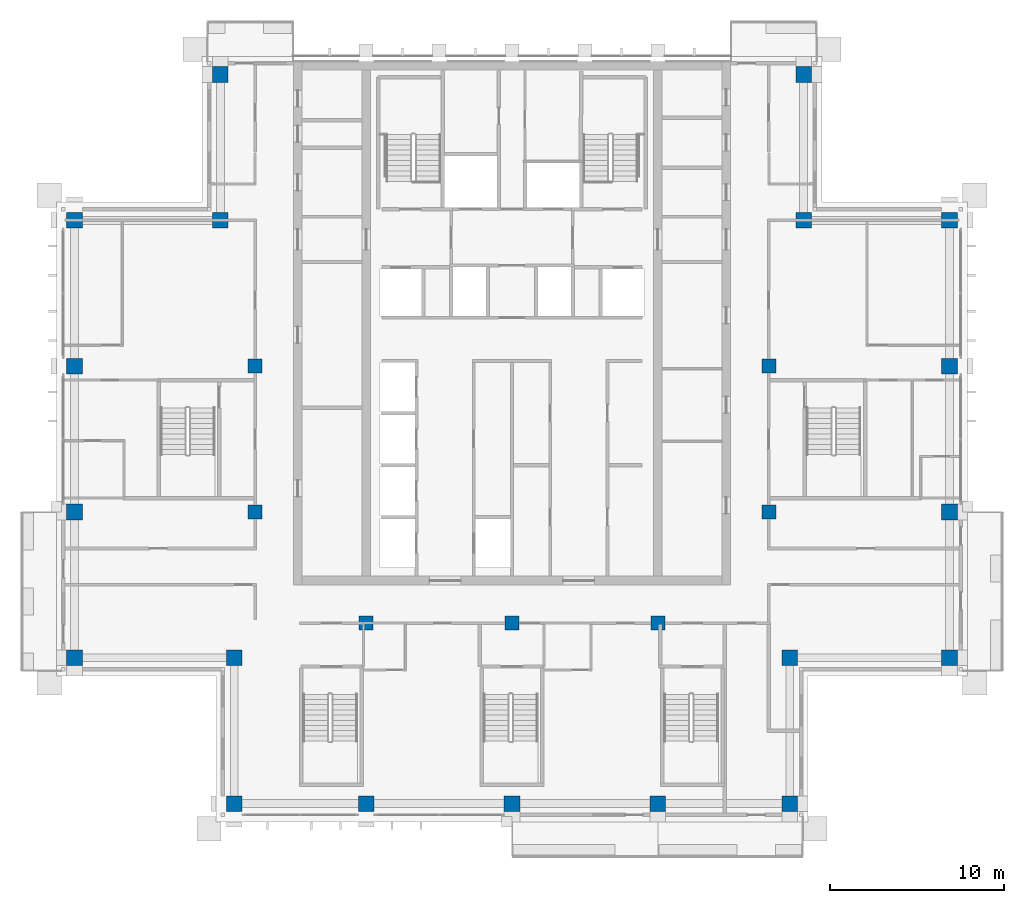
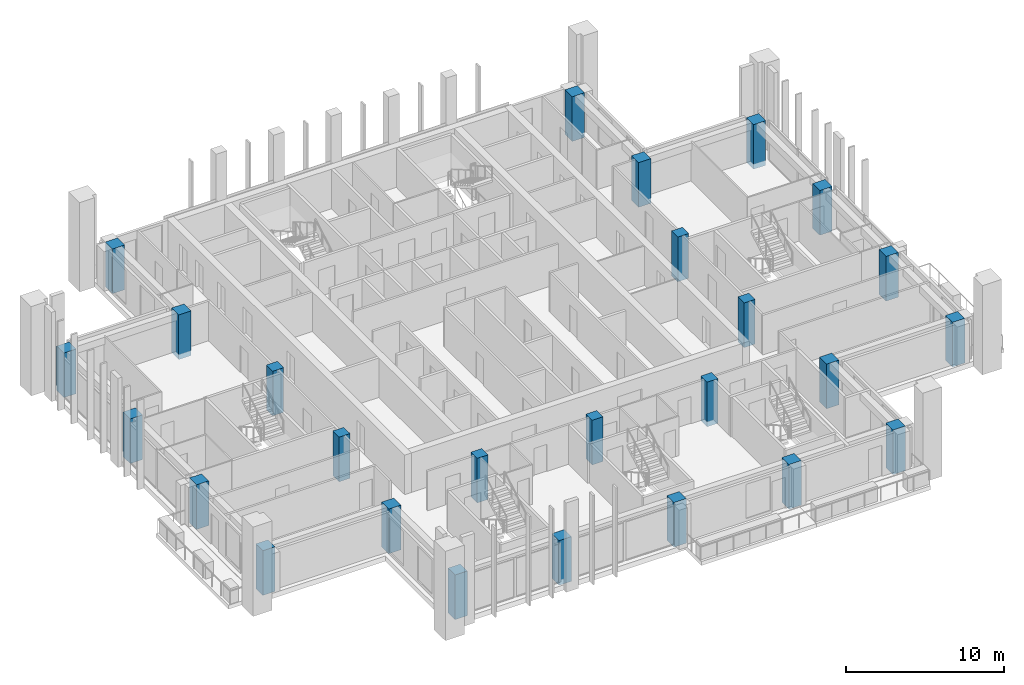
# One storey, part 1 of 18: 26 columns.
"""IFC4 building model written with IfcOpenShell, lengths in metres."""

from ifc_helpers import new_model, si_unit, direction, frame, origin, origin_2d, place, context, subcontext, project, spatial, rectangle, extrude, material, material_profile, profile_set, type_object, element, save


model = new_model("IFC4")

# Units and contexts
model_context = context("Model", 3, precision=1e-05, world=origin(), true_north=direction((0.0, 1.0)))
body_context = subcontext(model_context, "Body", "Model", "MODEL_VIEW")
ifc_project = project(units=[si_unit("LENGTHUNIT", "METRE"), si_unit("AREAUNIT", "SQUARE_METRE"), si_unit("VOLUMEUNIT", "CUBIC_METRE"), si_unit("PLANEANGLEUNIT", "RADIAN"), si_unit("MASSUNIT", "GRAM", prefix="KILO")], contexts=[model_context])

# Site, building, storey
site_placement = place(None, origin())
site = spatial("IfcSite", under=ifc_project, at=site_placement, CompositionType="ELEMENT")
building_placement = place(site_placement, origin())
building = spatial("IfcBuilding", under=site, at=building_placement, Name="Vermilion Ogive Tower", CompositionType="ELEMENT")
storey_placement = place(building_placement, frame((0.0, 0.0, 254.5)))
storey = spatial("IfcBuildingStorey", under=building, at=storey_placement, Name="L67", CompositionType="ELEMENT", Elevation=254.5)

# Columns
ifc_material_1 = material(Name="Concrete B60", Category="concrete")
ifc_material_profile_1 = material_profile(ifc_material_1, rectangle(XDim=0.89990234375, YDim=0.89990234375, at=origin_2d()), Name="900 x 900")
ifc_profile_set_1 = profile_set([ifc_material_profile_1], Name="Concrete B60")
column_type_1 = type_object("IfcColumnType", Name="Perimeter column 900 x 900 B60", PredefinedType="COLUMN", material=ifc_profile_set_1)
for number, where, z_axis, x_axis, name in (
    (1, (-16.0, -21.0, -0.39990234375), (0.0, 0.0, 1.0), (1.0, 0.0, 0.0), "COL-L67-P-0160-210"),
    (2, (-8.39990234375, -21.0, -0.39990234375), (0.0, 0.0, 1.0), (1.0, 0.0, 0.0), "COL-L67-P-0084-210"),
    (3, (0.0, -21.0, -0.39990234375), (0.0, 0.0, 1.0), (1.0, 0.0, 0.0), "COL-L67-P+0000-210"),
    (4, (8.39990234375, -21.0, -0.39990234375), (0.0, 0.0, 1.0), (1.0, 0.0, 0.0), "COL-L67-P+0084-210"),
    (5, (16.0, -21.0, -0.39990234375), (0.0, 0.0, 1.0), (1.0, 0.0, 0.0), "COL-L67-P+0160-210"),
    (6, (-25.199951171875, -12.60009765625, -0.39990234375), (0.0, 0.0, 1.0), (1.0, 0.0, 0.0), "COL-L67-P-0252-126"),
    (7, (-16.0, -12.60009765625, -0.39990234375), (0.0, 0.0, 1.0), (1.0, 0.0, 0.0), "COL-L67-P-0160-126"),
    (8, (16.0, -12.60009765625, -0.39990234375), (0.0, 0.0, 1.0), (1.0, 0.0, 0.0), "COL-L67-P+0160-126"),
    (9, (25.199951171875, -12.60009765625, -0.39990234375), (0.0, 0.0, 1.0), (1.0, 0.0, 0.0), "COL-L67-P+0252-126"),
    (10, (-25.199951171875, -4.199951171875, -0.39990234375), (0.0, 0.0, 1.0), (1.0, 0.0, 0.0), "COL-L67-P-0252-042"),
    (11, (25.199951171875, -4.199951171875, -0.39990234375), (0.0, 0.0, 1.0), (1.0, 0.0, 0.0), "COL-L67-P+0252-042"),
    (12, (-25.199951171875, 4.199951171875, -0.39990234375), (0.0, 0.0, 1.0), (1.0, 0.0, 0.0), "COL-L67-P-0252+042"),
    (13, (25.199951171875, 4.199951171875, -0.39990234375), (0.0, 0.0, 1.0), (1.0, 0.0, 0.0), "COL-L67-P+0252+042"),
    (14, (-25.199951171875, 12.60009765625, -0.39990234375), (0.0, 0.0, 1.0), (1.0, 0.0, 0.0), "COL-L67-P-0252+126"),
    (15, (-16.800048828125, 12.60009765625, -0.39990234375), (0.0, 0.0, 1.0), (1.0, 0.0, 0.0), "COL-L67-P-0168+126"),
    (16, (16.800048828125, 12.60009765625, -0.39990234375), (0.0, 0.0, 1.0), (1.0, 0.0, 0.0), "COL-L67-P+0168+126"),
    (17, (25.199951171875, 12.60009765625, -0.39990234375), (0.0, 0.0, 1.0), (1.0, 0.0, 0.0), "COL-L67-P+0252+126"),
    (18, (-16.800048828125, 21.0, -0.39990234375), (0.0, 0.0, 1.0), (1.0, 0.0, 0.0), "COL-L67-P-0168+210"),
    (19, (16.800048828125, 21.0, -0.39990234375), (0.0, 0.0, 1.0), (1.0, 0.0, 0.0), "COL-L67-P+0168+210"),
):
    element("IfcColumn", number, at=place(storey_placement, frame(where, z_axis=z_axis, x_axis=x_axis)), inside=storey, type_object=column_type_1, Name=name, PredefinedType="COLUMN", context=body_context, shape_type="SweptSolid", body=[
        extrude(rectangle(XDim=0.89990234375, YDim=0.89990234375, at=origin_2d()), origin(), (0.0, 0.0, 1.0), 3.449951171875),
    ])
ifc_material_2 = material(Name="Concrete B60", Category="concrete")
ifc_material_profile_2 = material_profile(ifc_material_2, rectangle(XDim=0.800048828125, YDim=0.800048828125, at=origin_2d()), Name="800 x 800")
ifc_profile_set_2 = profile_set([ifc_material_profile_2], Name="Concrete B60")
column_type_2 = type_object("IfcColumnType", Name="Ring column 800 x 800 B60", PredefinedType="COLUMN", material=ifc_profile_set_2)
for number, where, z_axis, x_axis, name in (
    (20, (-8.39990234375, -10.60009765625, -0.39990234375), (0.0, 0.0, 1.0), (1.0, 0.0, 0.0), "COL-L67-R-0084-106"),
    (21, (0.0, -10.60009765625, -0.39990234375), (0.0, 0.0, 1.0), (1.0, 0.0, 0.0), "COL-L67-R+0000-106"),
    (22, (8.39990234375, -10.60009765625, -0.39990234375), (0.0, 0.0, 1.0), (1.0, 0.0, 0.0), "COL-L67-R+0084-106"),
    (23, (-14.800048828125, -4.199951171875, -0.39990234375), (0.0, 0.0, 1.0), (1.0, 0.0, 0.0), "COL-L67-R-0148-042"),
    (24, (14.800048828125, -4.199951171875, -0.39990234375), (0.0, 0.0, 1.0), (1.0, 0.0, 0.0), "COL-L67-R+0148-042"),
    (25, (-14.800048828125, 4.199951171875, -0.39990234375), (0.0, 0.0, 1.0), (1.0, 0.0, 0.0), "COL-L67-R-0148+042"),
    (26, (14.800048828125, 4.199951171875, -0.39990234375), (0.0, 0.0, 1.0), (1.0, 0.0, 0.0), "COL-L67-R+0148+042"),
):
    element("IfcColumn", number, at=place(storey_placement, frame(where, z_axis=z_axis, x_axis=x_axis)), inside=storey, type_object=column_type_2, Name=name, PredefinedType="COLUMN", context=body_context, shape_type="SweptSolid", body=[
        extrude(rectangle(XDim=0.800048828125, YDim=0.800048828125, at=origin_2d()), origin(), (0.0, 0.0, 1.0), 3.449951171875),
    ])

save(model, "model.ifc")
